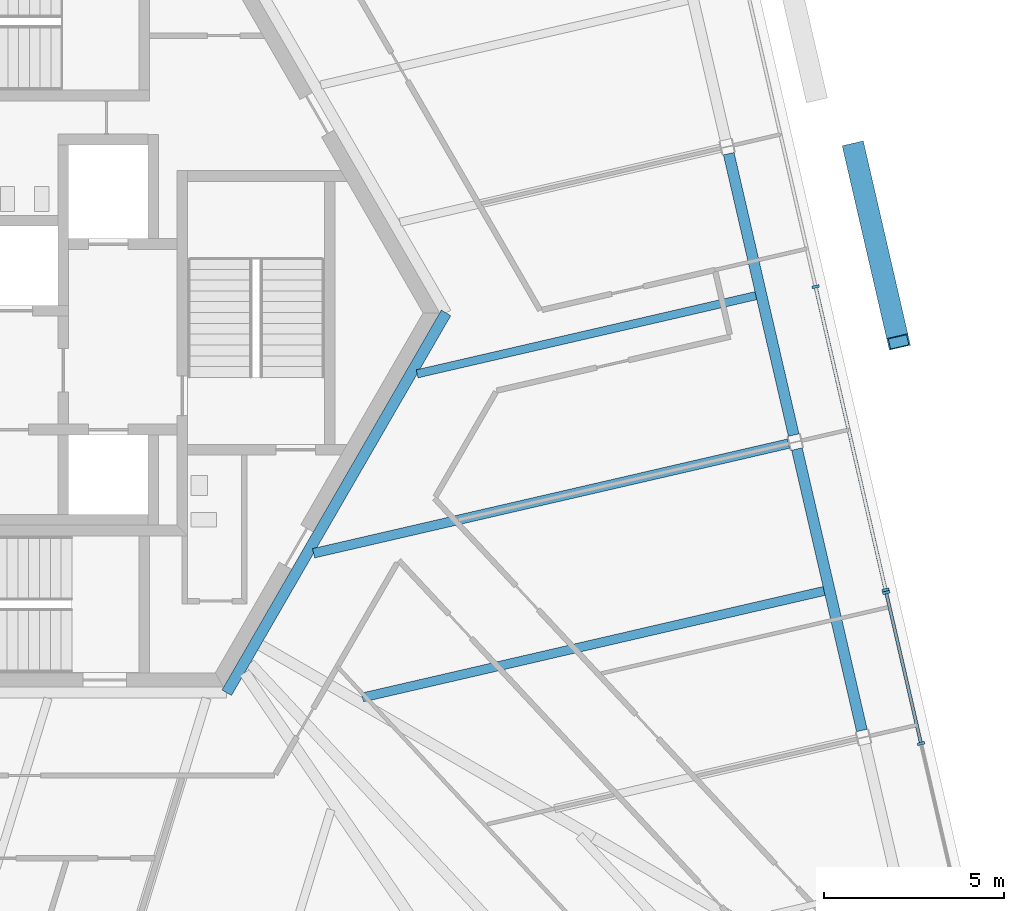
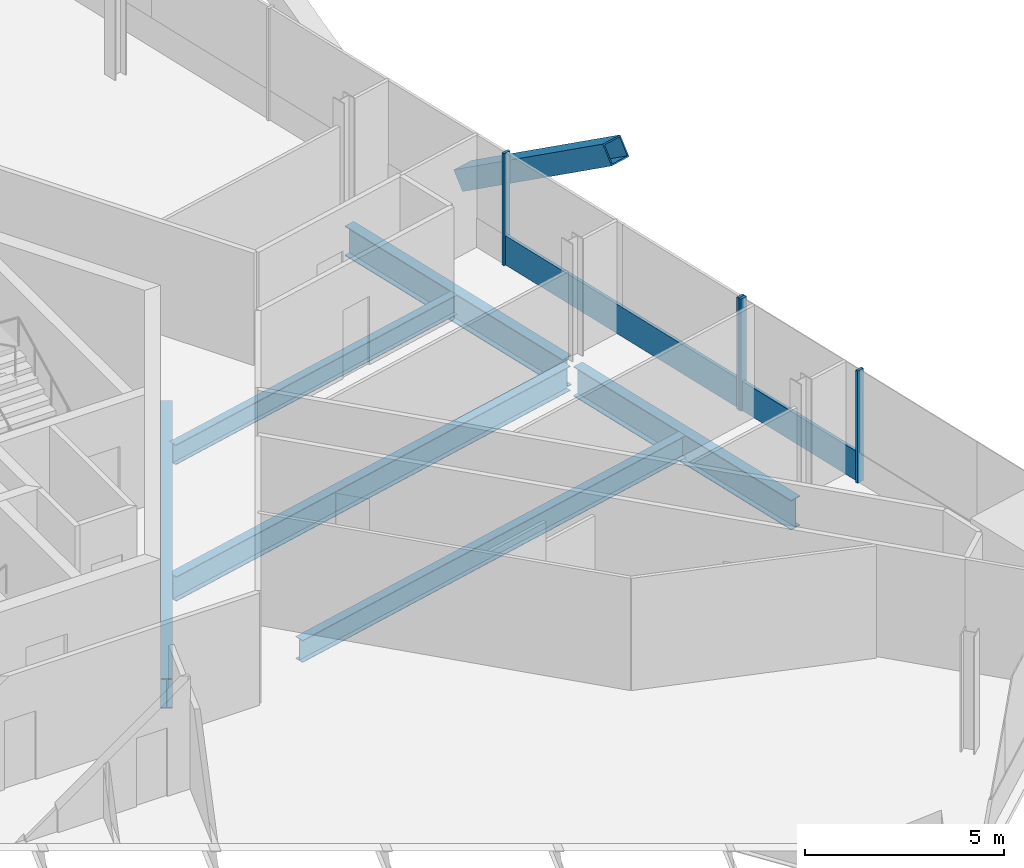
# One storey, part 7 of 20: 7 members, 6 beams, 2 elements without a shape of their own.
"""IFC4 building model written with IfcOpenShell, lengths in metres."""

from ifc_helpers import new_model, si_unit, direction, frame, origin, origin_2d, place, context, subcontext, project, spatial, rectangle, hollow_rectangle, i_section, extrude, source, transform, mapped, material, material_profile, profile_set, type_object, element, aggregate, save


model = new_model("IFC4")

# Units and contexts
model_context = context("Model", 3, precision=1e-05, world=origin(), true_north=direction((0.0, 1.0)))
body_context = subcontext(model_context, "Body", "Model", "MODEL_VIEW")
ifc_project = project(units=[si_unit("LENGTHUNIT", "METRE"), si_unit("AREAUNIT", "SQUARE_METRE"), si_unit("VOLUMEUNIT", "CUBIC_METRE"), si_unit("PLANEANGLEUNIT", "RADIAN"), si_unit("MASSUNIT", "GRAM", prefix="KILO")], contexts=[model_context])

# Site, building, storey
site_placement = place(None, origin())
site = spatial("IfcSite", under=ifc_project, at=site_placement, CompositionType="ELEMENT")
building_placement = place(site_placement, origin())
building = spatial("IfcBuilding", under=site, at=building_placement, Name="Triune Harvest Tower", CompositionType="ELEMENT")
storey_placement = place(building_placement, frame((0.0, 0.0, 116.300048828125)))
storey = spatial("IfcBuildingStorey", under=building, at=storey_placement, Name="L29", CompositionType="ELEMENT", Elevation=116.300048828125)

# Beams
ifc_material_1 = material(Name="Steel ASTM A992 Gr 50", Category="steel")
ifc_material_profile_1 = material_profile(ifc_material_1, i_section(OverallWidth=0.3046875, OverallDepth=0.914306640625, WebThickness=0.0166015625, FlangeThickness=0.02587890625, at=origin_2d()), Name="W36x160")
ifc_profile_set_1 = profile_set([ifc_material_profile_1], Name="Steel ASTM A992 Gr 50")
beam_type_1 = type_object("IfcBeamType", Name="CG-1 Core ring girder W36x160", PredefinedType="BEAM", material=ifc_profile_set_1)
shared_shape_1 = source(origin(), body_context, "Body", "SweptSolid", [
    extrude(i_section(OverallWidth=0.3046875, OverallDepth=0.914306640625, WebThickness=0.0166015625, FlangeThickness=0.02587890625, at=origin_2d()), origin(), (0.0, 0.0, 1.0), 12.176025390625),
])
beam_1_placement = place(storey_placement, frame((6.087890625, -10.544677734375, -0.6171875), z_axis=(0.5000099932, 0.866019634131, 0.0), x_axis=(-0.866019634131, 0.5000099932, 0.0)))
element("IfcBeam", 1, at=beam_1_placement, inside=storey, type_object=beam_type_1, Name="beam/L29/CG6", PredefinedType="BEAM", context=body_context, shape_type="MappedRepresentation", body=[
    mapped(shared_shape_1, transform((0.0, 0.0, 0.0), scale=1.0)),
])
ifc_material_2 = material(Name="Steel ASTM A992 Gr 50", Category="steel")
ifc_material_profile_2 = material_profile(ifc_material_2, i_section(OverallWidth=0.3046875, OverallDepth=0.914306640625, WebThickness=0.0166015625, FlangeThickness=0.02587890625, at=origin_2d()), Name="W36x160")
ifc_profile_set_2 = profile_set([ifc_material_profile_2], Name="Steel ASTM A992 Gr 50")
beam_type_2 = type_object("IfcBeamType", Name="SB-1 Spandrel beam W36x160", PredefinedType="SPANDREL", material=ifc_profile_set_2)
shared_shape_2 = source(origin(), body_context, "Body", "SweptSolid", [
    extrude(i_section(OverallWidth=0.3046875, OverallDepth=0.914306640625, WebThickness=0.0166015625, FlangeThickness=0.02587890625, at=origin_2d()), origin(), (0.0, 0.0, 1.0), 8.018310546875),
])
beam_2_placement = place(storey_placement, frame((23.72119140625, -11.591796875, -0.6171875), z_axis=(-0.224950679005, 0.974370151439, 0.0), x_axis=(-0.974370151439, -0.224950679005, 0.0)))
element("IfcBeam", 2, at=beam_2_placement, inside=storey, type_object=beam_type_2, Name="beam/L29/SB2", PredefinedType="SPANDREL", context=body_context, shape_type="MappedRepresentation", body=[
    mapped(shared_shape_2, transform((0.0, 0.0, 0.0), scale=1.0)),
])
shared_shape_3 = source(origin(), body_context, "Body", "SweptSolid", [
    extrude(i_section(OverallWidth=0.3046875, OverallDepth=0.914306640625, WebThickness=0.0166015625, FlangeThickness=0.02587890625, at=origin_2d()), origin(), (0.0, 0.0, 1.0), 8.0185546875),
])
beam_3_placement = place(storey_placement, frame((21.828369140625, -3.39306640625, -0.6171875), z_axis=(-0.22494400542, 0.974371692131, 0.0), x_axis=(-0.974371692131, -0.22494400542, 0.0)))
element("IfcBeam", 3, at=beam_3_placement, inside=storey, type_object=beam_type_2, Name="beam/L29/SB3", PredefinedType="SPANDREL", context=body_context, shape_type="MappedRepresentation", body=[
    mapped(shared_shape_3, transform((0.0, 0.0, 0.0), scale=1.0)),
])
ifc_material_3 = material(Name="Steel ASTM A992 Gr 50", Category="steel")
ifc_material_profile_3 = material_profile(ifc_material_3, i_section(OverallWidth=0.253662109375, OverallDepth=0.683349609375, WebThickness=0.012451171875, FlangeThickness=0.01904296875, at=origin_2d()), Name="W27x94")
ifc_profile_set_3 = profile_set([ifc_material_profile_3], Name="Steel ASTM A992 Gr 50")
beam_type_3 = type_object("IfcBeamType", Name="JT-4 Floor joist W27x94", PredefinedType="JOIST", material=ifc_profile_set_3)
shared_shape_4 = source(origin(), body_context, "Body", "SweptSolid", [
    extrude(i_section(OverallWidth=0.253662109375, OverallDepth=0.683349609375, WebThickness=0.012451171875, FlangeThickness=0.01904296875, at=origin_2d()), origin(), (0.0, 0.0, 1.0), 13.1572265625),
])
beam_4_placement = place(storey_placement, frame((22.6708984375, -7.7197265625, -0.501708984375), z_axis=(-0.974370551145, -0.224948947678, 0.0), x_axis=(0.224948947678, -0.974370551145, 0.0)))
element("IfcBeam", 4, at=beam_4_placement, inside=storey, type_object=beam_type_3, Name="beam/L29/JT3", PredefinedType="JOIST", context=body_context, shape_type="MappedRepresentation", body=[
    mapped(shared_shape_4, transform((0.0, 0.0, 0.0), scale=1.0)),
])
ifc_material_4 = material(Name="Steel ASTM A992 Gr 50", Category="steel")
ifc_material_profile_4 = material_profile(ifc_material_4, i_section(OverallWidth=0.2666015625, OverallDepth=0.7568359375, WebThickness=0.013916015625, FlangeThickness=0.019287109375, at=origin_2d()), Name="W30x108")
ifc_profile_set_4 = profile_set([ifc_material_profile_4], Name="Steel ASTM A992 Gr 50")
beam_type_4 = type_object("IfcBeamType", Name="JT-5 Floor joist W30x108", PredefinedType="JOIST", material=ifc_profile_set_4)
shared_shape_5 = source(origin(), body_context, "Body", "SweptSolid", [
    extrude(i_section(OverallWidth=0.2666015625, OverallDepth=0.7568359375, WebThickness=0.013916015625, FlangeThickness=0.019287109375, at=origin_2d()), origin(), (0.0, 0.0, 1.0), 13.535400390625),
])
beam_5_placement = place(storey_placement, frame((21.687255859375, -3.62890625, -0.53857421875), z_axis=(-0.974372040253, -0.224942497482, 0.0), x_axis=(0.224942497482, -0.974372040253, 0.0)))
element("IfcBeam", 5, at=beam_5_placement, inside=storey, type_object=beam_type_4, Name="beam/L29/JT4", PredefinedType="JOIST", context=body_context, shape_type="MappedRepresentation", body=[
    mapped(shared_shape_5, transform((0.0, 0.0, 0.0), scale=1.0)),
])
ifc_material_5 = material(Name="Steel ASTM A992 Gr 50", Category="steel")
ifc_material_profile_5 = material_profile(ifc_material_5, i_section(OverallWidth=0.22900390625, OverallDepth=0.612060546875, WebThickness=0.011962890625, FlangeThickness=0.01953125, at=origin_2d()), Name="W24x84")
ifc_profile_set_5 = profile_set([ifc_material_profile_5], Name="Steel ASTM A992 Gr 50")
beam_type_5 = type_object("IfcBeamType", Name="JT-3 Floor joist W24x84", PredefinedType="JOIST", material=ifc_profile_set_5)
shared_shape_6 = source(origin(), body_context, "Body", "SweptSolid", [
    extrude(i_section(OverallWidth=0.22900390625, OverallDepth=0.612060546875, WebThickness=0.011962890625, FlangeThickness=0.01953125, at=origin_2d()), origin(), (0.0, 0.0, 1.0), 9.650146484375),
])
beam_6_placement = place(storey_placement, frame((20.778076171875, 0.47900390625, -0.466064453125), z_axis=(-0.974373710713, -0.224935261514, 0.0), x_axis=(0.224935261514, -0.974373710713, 0.0)))
element("IfcBeam", 6, at=beam_6_placement, inside=storey, type_object=beam_type_5, Name="beam/L29/JT5", PredefinedType="JOIST", context=body_context, shape_type="MappedRepresentation", body=[
    mapped(shared_shape_6, transform((0.0, 0.0, 0.0), scale=1.0)),
])

# Member
ifc_material_6 = material(Name="Steel ASTM A572 Gr 50", Category="steel")
ifc_material_profile_6 = material_profile(ifc_material_6, hollow_rectangle(XDim=0.60009765625, YDim=0.60009765625, WallThickness=0.0400390625, at=origin_2d()), Name="Box 600x600x40")
ifc_profile_set_6 = profile_set([ifc_material_profile_6], Name="Steel ASTM A572 Gr 50")
member_type_1 = type_object("IfcMemberType", Name="BR-2 Brace Box 600x600x40", PredefinedType="BRACE", material=ifc_profile_set_6)
shared_shape_7 = source(origin(), body_context, "Body", "SweptSolid", [
    extrude(hollow_rectangle(XDim=0.60009765625, YDim=0.60009765625, WallThickness=0.0400390625, at=origin_2d()), origin(), (0.0, 0.0, 1.0), 6.56640625),
])
member_1_placement = place(storey_placement, frame((23.50390625, 4.546630859375, 0.0), z_axis=(0.188134834296, -0.814891534243, 0.548230856067), x_axis=(0.974369462042, 0.224953665097, 0.0)))
element("IfcMember", 7, at=member_1_placement, inside=storey, type_object=member_type_1, Name="brace/B3-F1/d2/6", PredefinedType="BRACE", context=body_context, shape_type="MappedRepresentation", body=[
    mapped(shared_shape_7, transform((0.0, 0.0, 0.0), scale=1.0)),
])

# Curtain wall, members
ifc_material_7 = material(Name="Aluminium bronze anodised", Category="aluminium")
curtain_wall_type_1 = type_object("IfcCurtainWallType", Name="CW-1 Tower stick curtain wall", PredefinedType="NOTDEFINED", material=ifc_material_7)
curtain_wall_1_placement = place(storey_placement, origin())
curtain_wall_1 = element("IfcCurtainWall", 8, at=curtain_wall_1_placement, inside=storey, type_object=curtain_wall_type_1, Name="CW-1 B3-F1 L29 run 1")
ifc_material_8 = material(Name="Aluminium bronze anodised", Category="aluminium")
ifc_material_profile_7 = material_profile(ifc_material_8, rectangle(XDim=0.199951171875, YDim=0.074951171875, at=origin_2d()), Name="MU-1 mullion 75 x 200")
ifc_profile_set_7 = profile_set([ifc_material_profile_7], Name="Aluminium bronze anodised")
member_type_2 = type_object("IfcMemberType", Name="MU-1 mullion 75 x 200", PredefinedType="MULLION", material=ifc_profile_set_7)
shared_shape_8 = source(origin(), body_context, "Body", "SweptSolid", [
    extrude(rectangle(XDim=0.199951171875, YDim=0.074951171875, at=origin_2d()), origin(), (0.0, 0.0, 1.0), 3.43994140625),
])
member_2_placement = place(storey_placement, frame((25.363525390625, -11.954345703125, 0.0), z_axis=(0.0, 0.0, 1.0), x_axis=(-0.974370100513, -0.22495089959, 0.0)))
member_2 = element("IfcMember", 9, at=member_2_placement, type_object=member_type_2, Name="CW-1 mullion B3-F1 1.3", PredefinedType="MULLION", context=body_context, shape_type="MappedRepresentation", body=[
    mapped(shared_shape_8, transform((0.0, 0.0, 0.0), scale=1.0)),
])
member_3_placement = place(storey_placement, frame((24.39599609375, -7.763671875, 0.0), z_axis=(0.0, 0.0, 1.0), x_axis=(-0.974370100513, -0.22495089959, 0.0)))
member_3 = element("IfcMember", 10, at=member_3_placement, type_object=member_type_2, Name="CW-1 mullion B3-F1 1.4", PredefinedType="MULLION", context=body_context, shape_type="MappedRepresentation", body=[
    mapped(shared_shape_8, transform((0.0, 0.0, 0.0), scale=1.0)),
])

ifc_material_9 = material(Name="Aluminium bronze anodised", Category="aluminium")
curtain_wall_type_2 = type_object("IfcCurtainWallType", Name="CW-7 Tower stick curtain wall with insulated spandrel infill", PredefinedType="NOTDEFINED", material=ifc_material_9)
curtain_wall_2_placement = place(storey_placement, origin())
curtain_wall_2 = element("IfcCurtainWall", 11, at=curtain_wall_2_placement, inside=storey, type_object=curtain_wall_type_2, Name="CW-7 B3-F1 L29 run 1001")
member_4_placement = place(storey_placement, frame((24.379150390625, -7.690673828125, 0.0), z_axis=(0.0, 0.0, 1.0), x_axis=(-0.974369954013, -0.22495153415, 0.0)))
member_4 = element("IfcMember", 12, at=member_4_placement, type_object=member_type_2, Name="CW-7 mullion B3-F1 1001.1", PredefinedType="MULLION", context=body_context, shape_type="MappedRepresentation", body=[
    mapped(shared_shape_8, transform((0.0, 0.0, 0.0), scale=1.0)),
])
member_5_placement = place(storey_placement, frame((22.435546875, 0.727294921875, 0.0), z_axis=(0.0, 0.0, 1.0), x_axis=(-0.974369954013, -0.22495153415, 0.0)))
member_5 = element("IfcMember", 13, at=member_5_placement, type_object=member_type_2, Name="CW-7 mullion B3-F1 1001.3", PredefinedType="MULLION", context=body_context, shape_type="MappedRepresentation", body=[
    mapped(shared_shape_8, transform((0.0, 0.0, 0.0), scale=1.0)),
])
ifc_material_10 = material(Name="Aluminium bronze anodised", Category="aluminium")
ifc_material_profile_8 = material_profile(ifc_material_10, rectangle(XDim=0.090087890625, YDim=0.89990234375, at=origin_2d()), Name="TR-1 transom 90 x 900")
ifc_profile_set_8 = profile_set([ifc_material_profile_8], Name="Aluminium bronze anodised")
member_type_3 = type_object("IfcMemberType", Name="TR-1 transom 90 x 900", PredefinedType="USERDEFINED", material=ifc_profile_set_8)
shared_shape_9 = source(origin(), body_context, "Body", "SweptSolid", [
    extrude(rectangle(XDim=0.090087890625, YDim=0.89990234375, at=origin_2d()), origin(), (0.0, 0.0, 1.0), 8.564208984375),
])
member_6_placement = place(storey_placement, frame((24.37060546875, -7.654052734375, 0.449951171875), z_axis=(-0.224949030659, 0.974370531988, 0.0), x_axis=(-0.974370531988, -0.224949030659, 0.0)))
member_6 = element("IfcMember", 14, at=member_6_placement, type_object=member_type_3, Name="CW-7 transom B3-F1 1001.1", ObjectType="TRANSOM", PredefinedType="USERDEFINED", context=body_context, shape_type="MappedRepresentation", body=[
    mapped(shared_shape_9, transform((0.0, 0.0, 0.0), scale=1.0)),
])
aggregate(curtain_wall_2, [member_4, member_5, member_6])

# Member
shared_shape_10 = source(origin(), body_context, "Body", "SweptSolid", [
    extrude(rectangle(XDim=0.090087890625, YDim=0.89990234375, at=origin_2d()), origin(), (0.0, 0.0, 1.0), 4.225830078125),
])
member_7_placement = place(storey_placement, frame((25.35498046875, -11.917724609375, 0.449951171875), z_axis=(-0.224973431044, 0.974364898446, 0.0), x_axis=(-0.974364898446, -0.224973431044, 0.0)))
member_7 = element("IfcMember", 15, at=member_7_placement, type_object=member_type_3, Name="CW-1 transom B3-F1 1.2", ObjectType="TRANSOM", PredefinedType="USERDEFINED", context=body_context, shape_type="MappedRepresentation", body=[
    mapped(shared_shape_10, transform((0.0, 0.0, 0.0), scale=1.0)),
])

aggregate(curtain_wall_1, [member_2, member_3, member_7])

save(model, "model.ifc")
